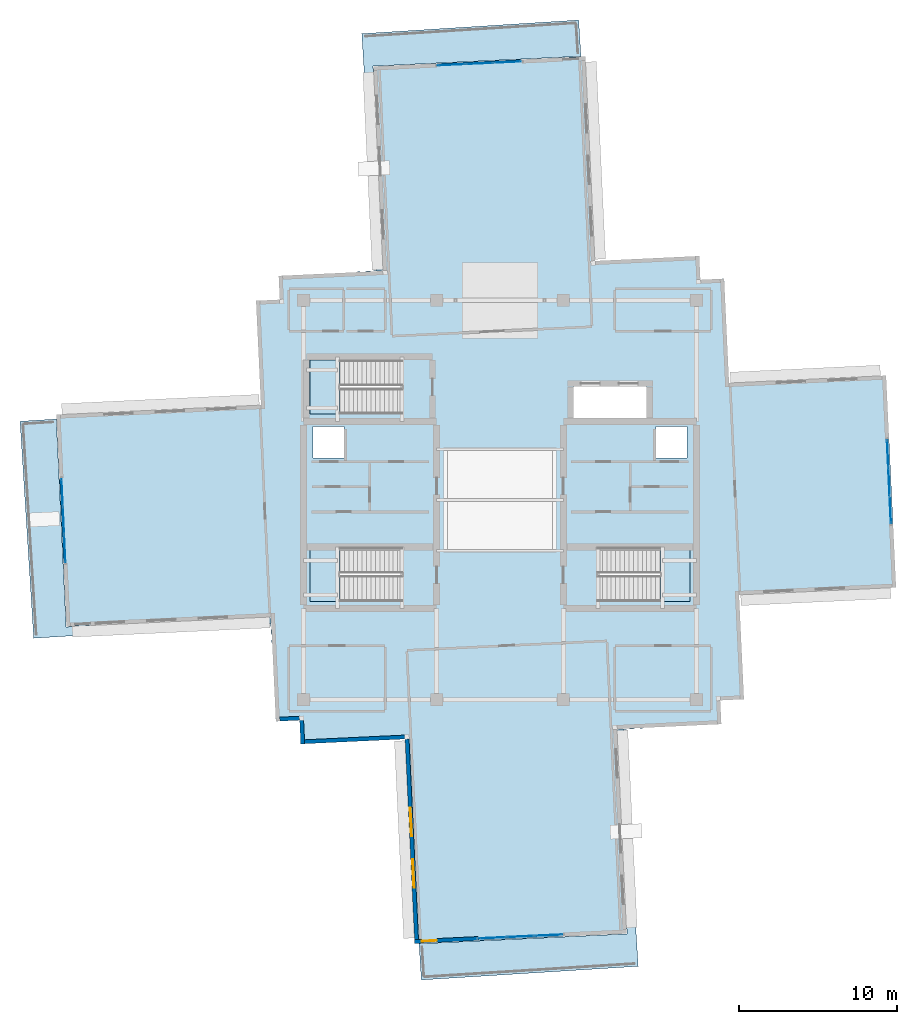
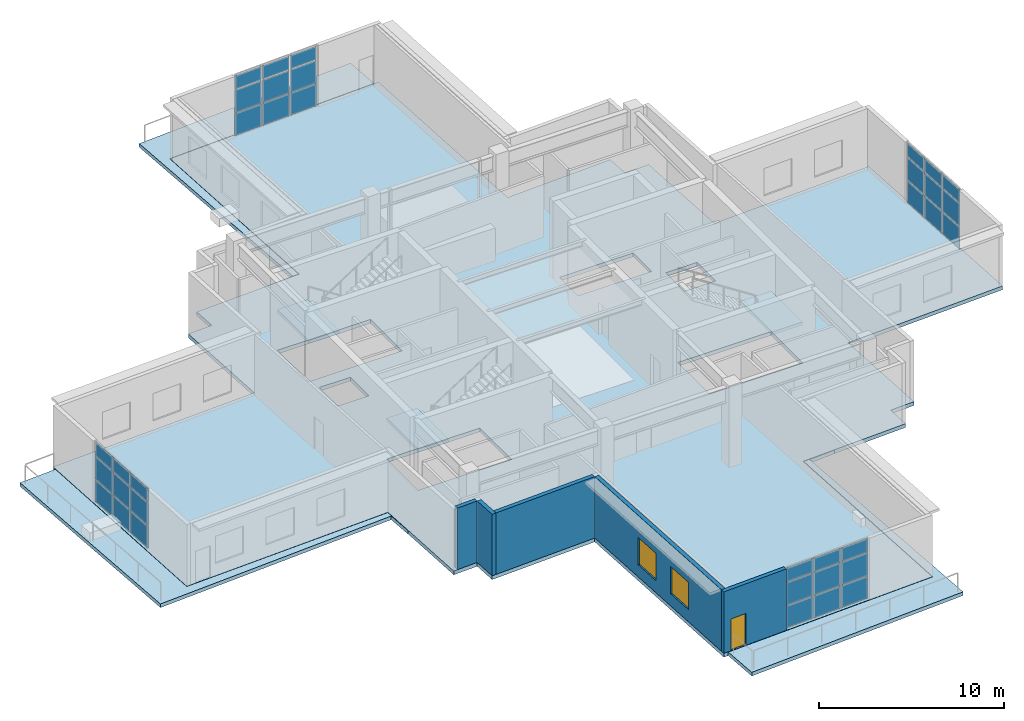
# One storey, part 12 of 22: 36 plates, 7 slabs, 5 walls, 2 windows, 1 door, 3 openings, 7 elements without a shape of their own.
"""IFC4 building model written with IfcOpenShell, lengths in metres."""

from ifc_helpers import new_model, si_unit, direction, frame, frame_2d, origin, origin_2d, place, context, subcontext, project, spatial, polyline, rectangle, outline, extrude, material, layer, layer_set, type_object, element, fill, aggregate, save


model = new_model("IFC4")

# Units and contexts
model_context = context("Model", 3, precision=1e-05, world=origin(), true_north=direction((0.0, 1.0)))
body_context = subcontext(model_context, "Body", "Model", "MODEL_VIEW")
ifc_project = project(units=[si_unit("LENGTHUNIT", "METRE"), si_unit("AREAUNIT", "SQUARE_METRE"), si_unit("VOLUMEUNIT", "CUBIC_METRE"), si_unit("PLANEANGLEUNIT", "RADIAN"), si_unit("MASSUNIT", "GRAM", prefix="KILO")], contexts=[model_context])

# Site, building, storey
site_placement = place(None, origin())
site = spatial("IfcSite", under=ifc_project, at=site_placement, CompositionType="ELEMENT")
building_placement = place(site_placement, origin())
building = spatial("IfcBuilding", under=site, at=building_placement, Name="Qingluan Cross Belvedere", CompositionType="ELEMENT")
storey_placement = place(building_placement, frame((0.0, 0.0, 294.0)))
storey = spatial("IfcBuildingStorey", under=building, at=storey_placement, Name="L73", CompositionType="ELEMENT", Elevation=294.0)

# Curtain wall, plates
ifc_material_1 = material(Name="Thermally broken aluminium and Low-E glass", Category="aluminium")
ifc_layer_1 = layer(ifc_material_1, 0.179931640625, Name="ObservationCW_DamperGallery")
ifc_layer_set_1 = layer_set([ifc_layer_1], Name="Thermally broken aluminium and Low-E glass")
curtain_wall_type = type_object("IfcCurtainWallType", Name="ObservationCW_DamperGallery", PredefinedType="USERDEFINED", material=ifc_layer_set_1)
curtain_wall_1_placement = place(storey_placement, origin())
curtain_wall_1 = element("IfcCurtainWall", 1, at=curtain_wall_1_placement, inside=storey, type_object=curtain_wall_type, Name="ObservationCW_DamperGallery run env:cw:L73:E", ObjectType="OBSERVATION GLAZING WALL", PredefinedType="USERDEFINED")
ifc_material_2 = material(Name="Triple-silver Low-E insulated glass", Category="glass")
ifc_layer_2 = layer(ifc_material_2, 0.035888671875, Name="CWVisionPanel_36")
ifc_layer_set_2 = layer_set([ifc_layer_2], Name="Triple-silver Low-E insulated glass")
plate_type = type_object("IfcPlateType", Name="CWVisionPanel_36", PredefinedType="CURTAIN_PANEL", material=ifc_layer_set_2)
plate_1_placement = place(storey_placement, frame((24.63623046875, -0.610595703125, 0.06005859375), z_axis=(0.0, 0.0, 1.0), x_axis=(-0.047124276604, 0.998889034155, 0.0)))
plate_1 = element("IfcPlate", 2, at=plate_1_placement, type_object=plate_type, Name="CW-C1 panel 1.1", PredefinedType="CURTAIN_PANEL", context=body_context, shape_type="SweptSolid", body=[
    extrude(rectangle(XDim=1.6953125, YDim=0.028076171875, at=origin_2d()), origin(), (0.0, 0.0, 1.0), 1.452880859375),
])
plate_2_placement = place(storey_placement, frame((24.63623046875, -0.610595703125, 1.572998046875), z_axis=(0.0, 0.0, 1.0), x_axis=(-0.047124276604, 0.998889034155, 0.0)))
plate_2 = element("IfcPlate", 3, at=plate_2_placement, type_object=plate_type, Name="CW-C1 panel 1.2", PredefinedType="CURTAIN_PANEL", context=body_context, shape_type="SweptSolid", body=[
    extrude(rectangle(XDim=1.6953125, YDim=0.028076171875, at=origin_2d()), origin(), (0.0, 0.0, 1.0), 1.48291015625),
])
plate_3_placement = place(storey_placement, frame((24.63623046875, -0.610595703125, 3.1162109375), z_axis=(0.0, 0.0, 1.0), x_axis=(-0.047124276604, 0.998889034155, 0.0)))
plate_3 = element("IfcPlate", 4, at=plate_3_placement, type_object=plate_type, Name="CW-C1 panel 1.3", PredefinedType="CURTAIN_PANEL", context=body_context, shape_type="SweptSolid", body=[
    extrude(rectangle(XDim=1.6953125, YDim=0.028076171875, at=origin_2d()), origin(), (0.0, 0.0, 1.0), 0.884033203125),
])
plate_4_placement = place(storey_placement, frame((24.552734375, 1.157958984375, 0.06005859375), z_axis=(0.0, 0.0, 1.0), x_axis=(-0.047124276604, 0.998889034155, 0.0)))
plate_4 = element("IfcPlate", 5, at=plate_4_placement, type_object=plate_type, Name="CW-C1 panel 2.1", PredefinedType="CURTAIN_PANEL", context=body_context, shape_type="SweptSolid", body=[
    extrude(rectangle(XDim=1.725341796875, YDim=0.028076171875, at=origin_2d()), origin(), (0.0, 0.0, 1.0), 1.452880859375),
])
plate_5_placement = place(storey_placement, frame((24.552734375, 1.157958984375, 1.572998046875), z_axis=(0.0, 0.0, 1.0), x_axis=(-0.047124276604, 0.998889034155, 0.0)))
plate_5 = element("IfcPlate", 6, at=plate_5_placement, type_object=plate_type, Name="CW-C1 panel 2.2", PredefinedType="CURTAIN_PANEL", context=body_context, shape_type="SweptSolid", body=[
    extrude(rectangle(XDim=1.725341796875, YDim=0.028076171875, at=origin_2d()), origin(), (0.0, 0.0, 1.0), 1.48291015625),
])
plate_6_placement = place(storey_placement, frame((24.552734375, 1.157958984375, 3.1162109375), z_axis=(0.0, 0.0, 1.0), x_axis=(-0.047124276604, 0.998889034155, 0.0)))
plate_6 = element("IfcPlate", 7, at=plate_6_placement, type_object=plate_type, Name="CW-C1 panel 2.3", PredefinedType="CURTAIN_PANEL", context=body_context, shape_type="SweptSolid", body=[
    extrude(rectangle(XDim=1.725341796875, YDim=0.028076171875, at=origin_2d()), origin(), (0.0, 0.0, 1.0), 0.884033203125),
])
plate_7_placement = place(storey_placement, frame((24.46923828125, 2.92626953125, 0.06005859375), z_axis=(0.0, 0.0, 1.0), x_axis=(-0.047124276604, 0.998889034155, 0.0)))
plate_7 = element("IfcPlate", 8, at=plate_7_placement, type_object=plate_type, Name="CW-C1 panel 3.1", PredefinedType="CURTAIN_PANEL", context=body_context, shape_type="SweptSolid", body=[
    extrude(rectangle(XDim=1.6953125, YDim=0.028076171875, at=origin_2d()), origin(), (0.0, 0.0, 1.0), 1.452880859375),
])
plate_8_placement = place(storey_placement, frame((24.46923828125, 2.92626953125, 1.572998046875), z_axis=(0.0, 0.0, 1.0), x_axis=(-0.047124276604, 0.998889034155, 0.0)))
plate_8 = element("IfcPlate", 9, at=plate_8_placement, type_object=plate_type, Name="CW-C1 panel 3.2", PredefinedType="CURTAIN_PANEL", context=body_context, shape_type="SweptSolid", body=[
    extrude(rectangle(XDim=1.6953125, YDim=0.028076171875, at=origin_2d()), origin(), (0.0, 0.0, 1.0), 1.48291015625),
])
plate_9_placement = place(storey_placement, frame((24.46923828125, 2.92626953125, 3.1162109375), z_axis=(0.0, 0.0, 1.0), x_axis=(-0.047124276604, 0.998889034155, 0.0)))
plate_9 = element("IfcPlate", 10, at=plate_9_placement, type_object=plate_type, Name="CW-C1 panel 3.3", PredefinedType="CURTAIN_PANEL", context=body_context, shape_type="SweptSolid", body=[
    extrude(rectangle(XDim=1.6953125, YDim=0.028076171875, at=origin_2d()), origin(), (0.0, 0.0, 1.0), 0.884033203125),
])
aggregate(curtain_wall_1, [plate_1, plate_2, plate_3, plate_4, plate_5, plate_6, plate_7, plate_8, plate_9])

curtain_wall_2_placement = place(storey_placement, origin())
curtain_wall_2 = element("IfcCurtainWall", 11, at=curtain_wall_2_placement, inside=storey, type_object=curtain_wall_type, Name="ObservationCW_DamperGallery run env:cw:L73:N", ObjectType="OBSERVATION GLAZING WALL", PredefinedType="USERDEFINED")
plate_10_placement = place(storey_placement, frame((0.46923828125, 27.6328125, 0.06005859375), z_axis=(0.0, 0.0, 1.0), x_axis=(-0.998888992693, -0.047125155464, 0.0)))
plate_10 = element("IfcPlate", 12, at=plate_10_placement, type_object=plate_type, Name="CW-C1 panel 1.1", PredefinedType="CURTAIN_PANEL", context=body_context, shape_type="SweptSolid", body=[
    extrude(rectangle(XDim=1.6953125, YDim=0.028076171875, at=origin_2d()), origin(), (0.0, 0.0, 1.0), 1.452880859375),
])
plate_11_placement = place(storey_placement, frame((0.46923828125, 27.6328125, 1.572998046875), z_axis=(0.0, 0.0, 1.0), x_axis=(-0.998888992693, -0.047125155464, 0.0)))
plate_11 = element("IfcPlate", 13, at=plate_11_placement, type_object=plate_type, Name="CW-C1 panel 1.2", PredefinedType="CURTAIN_PANEL", context=body_context, shape_type="SweptSolid", body=[
    extrude(rectangle(XDim=1.6953125, YDim=0.028076171875, at=origin_2d()), origin(), (0.0, 0.0, 1.0), 1.48291015625),
])
plate_12_placement = place(storey_placement, frame((0.46923828125, 27.6328125, 3.1162109375), z_axis=(0.0, 0.0, 1.0), x_axis=(-0.998888992693, -0.047125155464, 0.0)))
plate_12 = element("IfcPlate", 14, at=plate_12_placement, type_object=plate_type, Name="CW-C1 panel 1.3", PredefinedType="CURTAIN_PANEL", context=body_context, shape_type="SweptSolid", body=[
    extrude(rectangle(XDim=1.6953125, YDim=0.028076171875, at=origin_2d()), origin(), (0.0, 0.0, 1.0), 0.884033203125),
])
plate_13_placement = place(storey_placement, frame((-1.29931640625, 27.54931640625, 0.06005859375), z_axis=(0.0, 0.0, 1.0), x_axis=(-0.998888992693, -0.047125155464, 0.0)))
plate_13 = element("IfcPlate", 15, at=plate_13_placement, type_object=plate_type, Name="CW-C1 panel 2.1", PredefinedType="CURTAIN_PANEL", context=body_context, shape_type="SweptSolid", body=[
    extrude(rectangle(XDim=1.725341796875, YDim=0.028076171875, at=origin_2d()), origin(), (0.0, 0.0, 1.0), 1.452880859375),
])
plate_14_placement = place(storey_placement, frame((-1.29931640625, 27.54931640625, 1.572998046875), z_axis=(0.0, 0.0, 1.0), x_axis=(-0.998888992693, -0.047125155464, 0.0)))
plate_14 = element("IfcPlate", 16, at=plate_14_placement, type_object=plate_type, Name="CW-C1 panel 2.2", PredefinedType="CURTAIN_PANEL", context=body_context, shape_type="SweptSolid", body=[
    extrude(rectangle(XDim=1.725341796875, YDim=0.028076171875, at=origin_2d()), origin(), (0.0, 0.0, 1.0), 1.48291015625),
])
plate_15_placement = place(storey_placement, frame((-1.29931640625, 27.54931640625, 3.1162109375), z_axis=(0.0, 0.0, 1.0), x_axis=(-0.998888992693, -0.047125155464, 0.0)))
plate_15 = element("IfcPlate", 17, at=plate_15_placement, type_object=plate_type, Name="CW-C1 panel 2.3", PredefinedType="CURTAIN_PANEL", context=body_context, shape_type="SweptSolid", body=[
    extrude(rectangle(XDim=1.725341796875, YDim=0.028076171875, at=origin_2d()), origin(), (0.0, 0.0, 1.0), 0.884033203125),
])
plate_16_placement = place(storey_placement, frame((-3.067626953125, 27.466064453125, 0.06005859375), z_axis=(0.0, 0.0, 1.0), x_axis=(-0.998888992693, -0.047125155464, 0.0)))
plate_16 = element("IfcPlate", 18, at=plate_16_placement, type_object=plate_type, Name="CW-C1 panel 3.1", PredefinedType="CURTAIN_PANEL", context=body_context, shape_type="SweptSolid", body=[
    extrude(rectangle(XDim=1.6953125, YDim=0.028076171875, at=origin_2d()), origin(), (0.0, 0.0, 1.0), 1.452880859375),
])
plate_17_placement = place(storey_placement, frame((-3.067626953125, 27.466064453125, 1.572998046875), z_axis=(0.0, 0.0, 1.0), x_axis=(-0.998888992693, -0.047125155464, 0.0)))
plate_17 = element("IfcPlate", 19, at=plate_17_placement, type_object=plate_type, Name="CW-C1 panel 3.2", PredefinedType="CURTAIN_PANEL", context=body_context, shape_type="SweptSolid", body=[
    extrude(rectangle(XDim=1.6953125, YDim=0.028076171875, at=origin_2d()), origin(), (0.0, 0.0, 1.0), 1.48291015625),
])
plate_18_placement = place(storey_placement, frame((-3.067626953125, 27.466064453125, 3.1162109375), z_axis=(0.0, 0.0, 1.0), x_axis=(-0.998888992693, -0.047125155464, 0.0)))
plate_18 = element("IfcPlate", 20, at=plate_18_placement, type_object=plate_type, Name="CW-C1 panel 3.3", PredefinedType="CURTAIN_PANEL", context=body_context, shape_type="SweptSolid", body=[
    extrude(rectangle(XDim=1.6953125, YDim=0.028076171875, at=origin_2d()), origin(), (0.0, 0.0, 1.0), 0.884033203125),
])
aggregate(curtain_wall_2, [plate_10, plate_11, plate_12, plate_13, plate_14, plate_15, plate_16, plate_17, plate_18])

curtain_wall_3_placement = place(storey_placement, origin())
curtain_wall_3 = element("IfcCurtainWall", 21, at=curtain_wall_3_placement, inside=storey, type_object=curtain_wall_type, Name="ObservationCW_DamperGallery run env:cw:L73:W", ObjectType="OBSERVATION GLAZING WALL", PredefinedType="USERDEFINED")
plate_19_placement = place(storey_placement, frame((-27.6328125, 0.46923828125, 0.06005859375), z_axis=(0.0, 0.0, 1.0), x_axis=(0.047125155464, -0.998888992693, 0.0)))
plate_19 = element("IfcPlate", 22, at=plate_19_placement, type_object=plate_type, Name="CW-C1 panel 1.1", PredefinedType="CURTAIN_PANEL", context=body_context, shape_type="SweptSolid", body=[
    extrude(rectangle(XDim=1.6953125, YDim=0.028076171875, at=origin_2d()), origin(), (0.0, 0.0, 1.0), 1.452880859375),
])
plate_20_placement = place(storey_placement, frame((-27.6328125, 0.46923828125, 1.572998046875), z_axis=(0.0, 0.0, 1.0), x_axis=(0.047125155464, -0.998888992693, 0.0)))
plate_20 = element("IfcPlate", 23, at=plate_20_placement, type_object=plate_type, Name="CW-C1 panel 1.2", PredefinedType="CURTAIN_PANEL", context=body_context, shape_type="SweptSolid", body=[
    extrude(rectangle(XDim=1.6953125, YDim=0.028076171875, at=origin_2d()), origin(), (0.0, 0.0, 1.0), 1.48291015625),
])
plate_21_placement = place(storey_placement, frame((-27.6328125, 0.46923828125, 3.1162109375), z_axis=(0.0, 0.0, 1.0), x_axis=(0.047125155464, -0.998888992693, 0.0)))
plate_21 = element("IfcPlate", 24, at=plate_21_placement, type_object=plate_type, Name="CW-C1 panel 1.3", PredefinedType="CURTAIN_PANEL", context=body_context, shape_type="SweptSolid", body=[
    extrude(rectangle(XDim=1.6953125, YDim=0.028076171875, at=origin_2d()), origin(), (0.0, 0.0, 1.0), 0.884033203125),
])
plate_22_placement = place(storey_placement, frame((-27.54931640625, -1.29931640625, 0.06005859375), z_axis=(0.0, 0.0, 1.0), x_axis=(0.047125155464, -0.998888992693, 0.0)))
plate_22 = element("IfcPlate", 25, at=plate_22_placement, type_object=plate_type, Name="CW-C1 panel 2.1", PredefinedType="CURTAIN_PANEL", context=body_context, shape_type="SweptSolid", body=[
    extrude(rectangle(XDim=1.725341796875, YDim=0.028076171875, at=origin_2d()), origin(), (0.0, 0.0, 1.0), 1.452880859375),
])
plate_23_placement = place(storey_placement, frame((-27.54931640625, -1.29931640625, 1.572998046875), z_axis=(0.0, 0.0, 1.0), x_axis=(0.047125155464, -0.998888992693, 0.0)))
plate_23 = element("IfcPlate", 26, at=plate_23_placement, type_object=plate_type, Name="CW-C1 panel 2.2", PredefinedType="CURTAIN_PANEL", context=body_context, shape_type="SweptSolid", body=[
    extrude(rectangle(XDim=1.725341796875, YDim=0.028076171875, at=origin_2d()), origin(), (0.0, 0.0, 1.0), 1.48291015625),
])
plate_24_placement = place(storey_placement, frame((-27.54931640625, -1.29931640625, 3.1162109375), z_axis=(0.0, 0.0, 1.0), x_axis=(0.047125155464, -0.998888992693, 0.0)))
plate_24 = element("IfcPlate", 27, at=plate_24_placement, type_object=plate_type, Name="CW-C1 panel 2.3", PredefinedType="CURTAIN_PANEL", context=body_context, shape_type="SweptSolid", body=[
    extrude(rectangle(XDim=1.725341796875, YDim=0.028076171875, at=origin_2d()), origin(), (0.0, 0.0, 1.0), 0.884033203125),
])
plate_25_placement = place(storey_placement, frame((-27.466064453125, -3.067626953125, 0.06005859375), z_axis=(0.0, 0.0, 1.0), x_axis=(0.047125155464, -0.998888992693, 0.0)))
plate_25 = element("IfcPlate", 28, at=plate_25_placement, type_object=plate_type, Name="CW-C1 panel 3.1", PredefinedType="CURTAIN_PANEL", context=body_context, shape_type="SweptSolid", body=[
    extrude(rectangle(XDim=1.6953125, YDim=0.028076171875, at=origin_2d()), origin(), (0.0, 0.0, 1.0), 1.452880859375),
])
plate_26_placement = place(storey_placement, frame((-27.466064453125, -3.067626953125, 1.572998046875), z_axis=(0.0, 0.0, 1.0), x_axis=(0.047125155464, -0.998888992693, 0.0)))
plate_26 = element("IfcPlate", 29, at=plate_26_placement, type_object=plate_type, Name="CW-C1 panel 3.2", PredefinedType="CURTAIN_PANEL", context=body_context, shape_type="SweptSolid", body=[
    extrude(rectangle(XDim=1.6953125, YDim=0.028076171875, at=origin_2d()), origin(), (0.0, 0.0, 1.0), 1.48291015625),
])
plate_27_placement = place(storey_placement, frame((-27.466064453125, -3.067626953125, 3.1162109375), z_axis=(0.0, 0.0, 1.0), x_axis=(0.047125155464, -0.998888992693, 0.0)))
plate_27 = element("IfcPlate", 30, at=plate_27_placement, type_object=plate_type, Name="CW-C1 panel 3.3", PredefinedType="CURTAIN_PANEL", context=body_context, shape_type="SweptSolid", body=[
    extrude(rectangle(XDim=1.6953125, YDim=0.028076171875, at=origin_2d()), origin(), (0.0, 0.0, 1.0), 0.884033203125),
])
aggregate(curtain_wall_3, [plate_19, plate_20, plate_21, plate_22, plate_23, plate_24, plate_25, plate_26, plate_27])

curtain_wall_4_placement = place(storey_placement, origin())
curtain_wall_4 = element("IfcCurtainWall", 31, at=curtain_wall_4_placement, inside=storey, type_object=curtain_wall_type, Name="ObservationCW_DamperGallery run env:cw:L73:S", ObjectType="OBSERVATION GLAZING WALL", PredefinedType="USERDEFINED")
plate_28_placement = place(storey_placement, frame((-0.46923828125, -27.6328125, 0.06005859375), z_axis=(0.0, 0.0, 1.0), x_axis=(0.998888992693, 0.047125155464, 0.0)))
plate_28 = element("IfcPlate", 32, at=plate_28_placement, type_object=plate_type, Name="CW-C1 panel 1.1", PredefinedType="CURTAIN_PANEL", context=body_context, shape_type="SweptSolid", body=[
    extrude(rectangle(XDim=1.6953125, YDim=0.028076171875, at=origin_2d()), origin(), (0.0, 0.0, 1.0), 1.452880859375),
])
plate_29_placement = place(storey_placement, frame((-0.46923828125, -27.6328125, 1.572998046875), z_axis=(0.0, 0.0, 1.0), x_axis=(0.998888992693, 0.047125155464, 0.0)))
plate_29 = element("IfcPlate", 33, at=plate_29_placement, type_object=plate_type, Name="CW-C1 panel 1.2", PredefinedType="CURTAIN_PANEL", context=body_context, shape_type="SweptSolid", body=[
    extrude(rectangle(XDim=1.6953125, YDim=0.028076171875, at=origin_2d()), origin(), (0.0, 0.0, 1.0), 1.48291015625),
])
plate_30_placement = place(storey_placement, frame((-0.46923828125, -27.6328125, 3.1162109375), z_axis=(0.0, 0.0, 1.0), x_axis=(0.998888992693, 0.047125155464, 0.0)))
plate_30 = element("IfcPlate", 34, at=plate_30_placement, type_object=plate_type, Name="CW-C1 panel 1.3", PredefinedType="CURTAIN_PANEL", context=body_context, shape_type="SweptSolid", body=[
    extrude(rectangle(XDim=1.6953125, YDim=0.028076171875, at=origin_2d()), origin(), (0.0, 0.0, 1.0), 0.884033203125),
])
plate_31_placement = place(storey_placement, frame((1.29931640625, -27.54931640625, 0.06005859375), z_axis=(0.0, 0.0, 1.0), x_axis=(0.998888992693, 0.047125155464, 0.0)))
plate_31 = element("IfcPlate", 35, at=plate_31_placement, type_object=plate_type, Name="CW-C1 panel 2.1", PredefinedType="CURTAIN_PANEL", context=body_context, shape_type="SweptSolid", body=[
    extrude(rectangle(XDim=1.725341796875, YDim=0.028076171875, at=origin_2d()), origin(), (0.0, 0.0, 1.0), 1.452880859375),
])
plate_32_placement = place(storey_placement, frame((1.29931640625, -27.54931640625, 1.572998046875), z_axis=(0.0, 0.0, 1.0), x_axis=(0.998888992693, 0.047125155464, 0.0)))
plate_32 = element("IfcPlate", 36, at=plate_32_placement, type_object=plate_type, Name="CW-C1 panel 2.2", PredefinedType="CURTAIN_PANEL", context=body_context, shape_type="SweptSolid", body=[
    extrude(rectangle(XDim=1.725341796875, YDim=0.028076171875, at=origin_2d()), origin(), (0.0, 0.0, 1.0), 1.48291015625),
])
plate_33_placement = place(storey_placement, frame((1.29931640625, -27.54931640625, 3.1162109375), z_axis=(0.0, 0.0, 1.0), x_axis=(0.998888992693, 0.047125155464, 0.0)))
plate_33 = element("IfcPlate", 37, at=plate_33_placement, type_object=plate_type, Name="CW-C1 panel 2.3", PredefinedType="CURTAIN_PANEL", context=body_context, shape_type="SweptSolid", body=[
    extrude(rectangle(XDim=1.725341796875, YDim=0.028076171875, at=origin_2d()), origin(), (0.0, 0.0, 1.0), 0.884033203125),
])
plate_34_placement = place(storey_placement, frame((3.067626953125, -27.466064453125, 0.06005859375), z_axis=(0.0, 0.0, 1.0), x_axis=(0.998888992693, 0.047125155464, 0.0)))
plate_34 = element("IfcPlate", 38, at=plate_34_placement, type_object=plate_type, Name="CW-C1 panel 3.1", PredefinedType="CURTAIN_PANEL", context=body_context, shape_type="SweptSolid", body=[
    extrude(rectangle(XDim=1.6953125, YDim=0.028076171875, at=origin_2d()), origin(), (0.0, 0.0, 1.0), 1.452880859375),
])
plate_35_placement = place(storey_placement, frame((3.067626953125, -27.466064453125, 1.572998046875), z_axis=(0.0, 0.0, 1.0), x_axis=(0.998888992693, 0.047125155464, 0.0)))
plate_35 = element("IfcPlate", 39, at=plate_35_placement, type_object=plate_type, Name="CW-C1 panel 3.2", PredefinedType="CURTAIN_PANEL", context=body_context, shape_type="SweptSolid", body=[
    extrude(rectangle(XDim=1.6953125, YDim=0.028076171875, at=origin_2d()), origin(), (0.0, 0.0, 1.0), 1.48291015625),
])
plate_36_placement = place(storey_placement, frame((3.067626953125, -27.466064453125, 3.1162109375), z_axis=(0.0, 0.0, 1.0), x_axis=(0.998888992693, 0.047125155464, 0.0)))
plate_36 = element("IfcPlate", 40, at=plate_36_placement, type_object=plate_type, Name="CW-C1 panel 3.3", PredefinedType="CURTAIN_PANEL", context=body_context, shape_type="SweptSolid", body=[
    extrude(rectangle(XDim=1.6953125, YDim=0.028076171875, at=origin_2d()), origin(), (0.0, 0.0, 1.0), 0.884033203125),
])
aggregate(curtain_wall_4, [plate_28, plate_29, plate_30, plate_31, plate_32, plate_33, plate_34, plate_35, plate_36])

# Slabs
ifc_material_3 = material(Name="Concrete C40", Category="concrete")
ifc_layer_3 = layer(ifc_material_3, 0.239990234375, Name="CrownRoofSlab_240")
ifc_layer_set_3 = layer_set([ifc_layer_3], Name="Concrete C40")
slab_type_1 = type_object("IfcSlabType", Name="CrownRoofSlab_240", PredefinedType="ROOF", material=ifc_layer_set_3)
slab_1_placement = place(storey_placement, frame((0.0, 0.0, -0.239990234375)))
element("IfcSlab", 41, at=slab_1_placement, inside=storey, type_object=slab_type_1, Name="Stepped crown terrace L73-1", PredefinedType="ROOF", context=body_context, shape_type="SweptSolid", body=[
    extrude(outline(polyline([(-7.78466796875, 14.479736328125), (-9.398681640625, 14.378173828125), (-7.405029296875, 14.47216796875), (-8.006103515625, 27.373779296875), (5.112060546875, 27.996826171875), (4.9677734375, 30.291748046875), (-8.72509765625, 29.43017578125), (-7.78466796875, 14.479736328125)])), origin(), (0.0, 0.0, 1.0), 0.239990234375),
])
slab_2_placement = place(storey_placement, frame((0.0, 0.0, -0.239990234375)))
element("IfcSlab", 42, at=slab_2_placement, inside=storey, type_object=slab_type_1, Name="Stepped crown terrace L73-2", PredefinedType="ROOF", context=body_context, shape_type="SweptSolid", body=[
    extrude(outline(polyline([(-14.479736328125, -7.78466796875), (-14.378173828125, -9.398681640625), (-14.47216796875, -7.405029296875), (-27.373779296875, -8.006103515625), (-27.996826171875, 5.112060546875), (-30.291748046875, 4.9677734375), (-29.43017578125, -8.72509765625), (-14.479736328125, -7.78466796875)])), origin(), (0.0, 0.0, 1.0), 0.239990234375),
])
slab_3_placement = place(storey_placement, frame((0.0, 0.0, -0.239990234375)))
element("IfcSlab", 43, at=slab_3_placement, inside=storey, type_object=slab_type_1, Name="Stepped crown terrace L73-3", PredefinedType="ROOF", context=body_context, shape_type="SweptSolid", body=[
    extrude(outline(polyline([(-5.112060546875, -27.996826171875), (-4.9677734375, -30.291748046875), (8.72509765625, -29.43017578125), (7.78466796875, -14.479736328125), (9.398681640625, -14.378173828125), (7.405029296875, -14.47216796875), (8.0126953125, -27.35791015625), (7.99365234375, -27.37890625), (-5.112060546875, -27.996826171875)])), origin(), (0.0, 0.0, 1.0), 0.239990234375),
])
ifc_material_4 = material(Name="Concrete C40", Category="concrete")
ifc_layer_4 = layer(ifc_material_4, 0.25, Name="FloorSlab_250")
ifc_layer_set_4 = layer_set([ifc_layer_4], Name="Concrete C40")
slab_type_2 = type_object("IfcSlabType", Name="FloorSlab_250", PredefinedType="FLOOR", material=ifc_layer_set_4)
slab_4_placement = place(storey_placement, frame((0.0, 0.0, -0.25)))
element("IfcSlab", 44, at=slab_4_placement, inside=storey, type_object=slab_type_2, Name="Structural floor slab L73", PredefinedType="FLOOR", context=body_context, shape_type="SweptSolid", body=[
    extrude(outline(polyline([(7.99267578125, -27.35888671875), (7.384033203125, -14.453125), (13.966796875, -14.142822265625), (13.89599609375, -12.644287109375), (15.394287109375, -12.57373046875), (15.083984375, -5.9912109375), (24.992919921875, -5.523681640625), (24.3623046875, 7.851318359375), (14.453125, 7.384033203125), (14.142822265625, 13.966796875), (12.644287109375, 13.89599609375), (12.57373046875, 15.394287109375), (5.9912109375, 15.083984375), (5.382568359375, 27.989501953125), (-7.99267578125, 27.35888671875), (-7.384033203125, 14.453125), (-13.966796875, 14.142822265625), (-13.89599609375, 12.644287109375), (-15.394287109375, 12.57373046875), (-15.083984375, 5.9912109375), (-27.989501953125, 5.382568359375), (-27.35888671875, -7.99267578125), (-14.453125, -7.384033203125), (-14.142822265625, -13.966796875), (-12.644287109375, -13.89599609375), (-12.57373046875, -15.394287109375), (-5.9912109375, -15.083984375), (-5.382568359375, -27.989501953125), (7.99267578125, -27.35888671875)]), holes=[polyline([(-12.0, -3.0), (-6.179931640625, -3.0), (-6.179931640625, -6.39990234375), (-12.0, -6.39990234375), (-12.0, -3.0)]), polyline([(6.179931640625, -3.0), (12.0, -3.0), (12.0, -6.39990234375), (6.179931640625, -6.39990234375), (6.179931640625, -3.0)]), polyline([(-12.0, 8.820068359375), (-6.179931640625, 8.820068359375), (-6.179931640625, 5.419921875), (-12.0, 5.419921875), (-12.0, 8.820068359375)]), polyline([(-11.800048828125, 4.64990234375), (-9.85009765625, 4.64990234375), (-9.85009765625, 2.64990234375), (-11.800048828125, 2.64990234375), (-11.800048828125, 4.64990234375)]), polyline([(9.85009765625, 4.64990234375), (11.800048828125, 4.64990234375), (11.800048828125, 2.64990234375), (9.85009765625, 2.64990234375), (9.85009765625, 4.64990234375)]), polyline([(4.64990234375, 7.14990234375), (9.25, 7.14990234375), (9.25, 5.14990234375), (4.64990234375, 5.14990234375), (4.64990234375, 7.14990234375)])]), origin(), (0.0, 0.0, 1.0), 0.25),
])

# Stair, slab
ifc_material_5 = material(Name="Concrete C40", Category="concrete")
stair_type = type_object("IfcStairType", Name="CoreDoglegStair_1620", PredefinedType="HALF_TURN_STAIR", material=ifc_material_5)
stair_1_placement = place(storey_placement, origin())
stair_1 = element("IfcStair", 45, at=stair_1_placement, inside=storey, type_object=stair_type, Name="L73 ST1", PredefinedType="HALF_TURN_STAIR")
ifc_material_6 = material(Name="Concrete C40", Category="concrete")
ifc_layer_5 = layer(ifc_material_6, 0.179931640625, Name="StairLandingSlab_180")
ifc_layer_set_5 = layer_set([ifc_layer_5], Name="Concrete C40")
slab_type_3 = type_object("IfcSlabType", Name="StairLandingSlab_180", PredefinedType="LANDING", material=ifc_layer_set_5)
slab_5_placement = place(storey_placement, frame((0.0, 0.0, 2.5)))
slab_5 = element("IfcSlab", 46, at=slab_5_placement, type_object=slab_type_3, Name="ST1 landing 1", PredefinedType="LANDING", context=body_context, shape_type="SweptSolid", body=[
    extrude(outline(polyline([(-10.10009765625, -3.0), (-12.0, -3.0), (-12.0, -6.39990234375), (-10.10009765625, -6.39990234375), (-10.10009765625, -3.0)])), origin(), (0.0, 0.0, 1.0), 0.199951171875),
])
aggregate(stair_1, [slab_5])

stair_2_placement = place(storey_placement, origin())
stair_2 = element("IfcStair", 47, at=stair_2_placement, inside=storey, type_object=stair_type, Name="L73 ST2", PredefinedType="HALF_TURN_STAIR")
slab_6_placement = place(storey_placement, frame((0.0, 0.0, 2.5)))
slab_6 = element("IfcSlab", 48, at=slab_6_placement, type_object=slab_type_3, Name="ST2 landing 1", PredefinedType="LANDING", context=body_context, shape_type="SweptSolid", body=[
    extrude(outline(polyline([(10.10009765625, -6.39990234375), (12.0, -6.39990234375), (12.0, -3.0), (10.10009765625, -3.0), (10.10009765625, -6.39990234375)])), origin(), (0.0, 0.0, 1.0), 0.199951171875),
])
aggregate(stair_2, [slab_6])

stair_3_placement = place(storey_placement, origin())
stair_3 = element("IfcStair", 49, at=stair_3_placement, inside=storey, type_object=stair_type, Name="L73 ST3", PredefinedType="HALF_TURN_STAIR")
slab_7_placement = place(storey_placement, frame((0.0, 0.0, 2.5)))
slab_7 = element("IfcSlab", 50, at=slab_7_placement, type_object=slab_type_3, Name="ST3 landing 1", PredefinedType="LANDING", context=body_context, shape_type="SweptSolid", body=[
    extrude(outline(polyline([(-10.10009765625, 8.820068359375), (-12.0, 8.820068359375), (-12.0, 5.419921875), (-10.10009765625, 5.419921875), (-10.10009765625, 8.820068359375)])), origin(), (0.0, 0.0, 1.0), 0.199951171875),
])
aggregate(stair_3, [slab_7])

# Wall, openings, windows
ifc_material_7 = material(Name="Precast concrete C45", Category="concrete")
ifc_layer_6 = layer(ifc_material_7, 0.25, Name="PrecastCrownWall_250")
ifc_layer_set_6 = layer_set([ifc_layer_6], Name="Precast concrete C45")
wall_type = type_object("IfcWallType", Name="PrecastCrownWall_250", PredefinedType="STANDARD", material=ifc_layer_set_6)
wall_1_placement = place(storey_placement, frame((-5.8662109375, -15.078125, 0.0), z_axis=(0.0, 0.0, 1.0), x_axis=(0.04711379485, -0.998889528594, 0.0)))
wall_1 = element("IfcWall", 51, at=wall_1_placement, inside=storey, type_object=wall_type, Name="Facade wall L73-SA", PredefinedType="STANDARD", context=body_context, shape_type="SweptSolid", body=[
    extrude(rectangle(XDim=12.669921875, YDim=0.25, at=frame_2d((6.3349609375, 0.0))), origin(), (0.0, 0.0, 1.0), 4.06005859375),
])
opening_1_placement = place(wall_1_placement, frame((4.35009765625, 0.0, 0.800048828125)))
opening_1 = element("IfcOpeningElement", 52, at=opening_1_placement, cuts=wall_1, Name="Opening W-05", PredefinedType="OPENING", context=body_context, shape_type="SweptSolid", body=[
    extrude(rectangle(XDim=1.800048828125, YDim=1.800048828125, at=frame_2d((0.89990234375, 0.89990234375))), frame((0.0, 0.135009765625, 0.0), z_axis=(0.0, -1.0, 0.0), x_axis=(1.0, 0.0, 0.0)), (0.0, 0.0, 1.0), 0.27001953125),
])
opening_2_placement = place(wall_1_placement, frame((7.60009765625, 0.0, 0.800048828125)))
opening_2 = element("IfcOpeningElement", 53, at=opening_2_placement, cuts=wall_1, Name="Opening W-05", PredefinedType="OPENING", context=body_context, shape_type="SweptSolid", body=[
    extrude(rectangle(XDim=1.800048828125, YDim=1.800048828125, at=frame_2d((0.89990234375, 0.89990234375))), frame((0.0, 0.135009765625, 0.0), z_axis=(0.0, -1.0, 0.0), x_axis=(1.0, 0.0, 0.0)), (0.0, 0.0, 1.0), 0.27001953125),
])
ifc_material_8 = material(Name="Thermally broken triple Low-E glass in aluminium frame", Category="aluminium")
window_type = type_object("IfcWindowType", Name="CrownBelvedereWin_1800x1800", PartitioningType="SINGLE_PANEL", PredefinedType="WINDOW", material=ifc_material_8)
window_1_placement = place(opening_1_placement, origin())
window_1 = element("IfcWindow", 54, at=window_1_placement, inside=storey, type_object=window_type, Name="Ribbon window L73-SA-1", OverallHeight=1.800048828125, OverallWidth=1.800048828125, PartitioningType="SINGLE_PANEL", PredefinedType="WINDOW", context=body_context, shape_type="SweptSolid", body=[
    extrude(rectangle(XDim=1.800048828125, YDim=1.800048828125, at=frame_2d((0.89990234375, 0.89990234375))), frame((0.0, 0.030029296875, 0.0), z_axis=(0.0, -1.0, 0.0), x_axis=(1.0, 0.0, 0.0)), (0.0, 0.0, 1.0), 0.06005859375),
])
fill(opening_1, window_1)
window_2_placement = place(opening_2_placement, origin())
window_2 = element("IfcWindow", 55, at=window_2_placement, inside=storey, type_object=window_type, Name="Ribbon window L73-SA-2", OverallHeight=1.800048828125, OverallWidth=1.800048828125, PartitioningType="SINGLE_PANEL", PredefinedType="WINDOW", context=body_context, shape_type="SweptSolid", body=[
    extrude(rectangle(XDim=1.800048828125, YDim=1.800048828125, at=frame_2d((0.89990234375, 0.89990234375))), frame((0.0, 0.030029296875, 0.0), z_axis=(0.0, -1.0, 0.0), x_axis=(1.0, 0.0, 0.0)), (0.0, 0.0, 1.0), 0.06005859375),
])
fill(opening_2, window_2)

# Wall, opening, door
wall_2_placement = place(storey_placement, frame((-5.388427734375, -27.86474609375, 0.0), z_axis=(0.0, 0.0, 1.0), x_axis=(0.998890166872, 0.047100260363, 0.0)))
wall_2 = element("IfcWall", 56, at=wall_2_placement, inside=storey, type_object=wall_type, Name="Terrace portal jamb wall L73-S1", PredefinedType="STANDARD", context=body_context, shape_type="SweptSolid", body=[
    extrude(rectangle(XDim=4.01708984375, YDim=0.25, at=frame_2d((2.008544921875, 0.0))), origin(), (0.0, 0.0, 1.0), 4.06005859375),
])
opening_3_placement = place(wall_2_placement, frame((0.449951171875, 0.0, 0.0)))
opening_3 = element("IfcOpeningElement", 57, at=opening_3_placement, cuts=wall_2, Name="Opening TD-10", PredefinedType="OPENING", context=body_context, shape_type="SweptSolid", body=[
    extrude(rectangle(XDim=0.9599609375, YDim=2.10009765625, at=frame_2d((0.47998046875, 1.050048828125))), frame((0.0, 0.135009765625, 0.0), z_axis=(0.0, -1.0, 0.0), x_axis=(1.0, 0.0, 0.0)), (0.0, 0.0, 1.0), 0.27001953125),
])
ifc_material_9 = material(Name="Thermally broken aluminium and Low-E glass", Category="aluminium")
door_type = type_object("IfcDoorType", Name="SetbackTerraceDoor_096", OperationType="NOTDEFINED", PredefinedType="DOOR", material=ifc_material_9)
door_placement = place(opening_3_placement, origin())
door = element("IfcDoor", 58, at=door_placement, inside=storey, type_object=door_type, Name="Outdoor terrace access door L73-set3", OperationType="SINGLE_SWING_LEFT", OverallHeight=2.10009765625, OverallWidth=0.9599609375, PredefinedType="DOOR", context=body_context, shape_type="SweptSolid", body=[
    extrude(rectangle(XDim=0.9599609375, YDim=2.10009765625, at=frame_2d((0.47998046875, 1.050048828125))), frame((0.0, 0.02490234375, 0.0), z_axis=(0.0, -1.0, 0.0), x_axis=(1.0, 0.0, 0.0)), (0.0, 0.0, 1.0), 0.050048828125),
])
fill(opening_3, door)

# Walls
wall_3_placement = place(storey_placement, frame((-13.89892578125, -13.830078125, 0.0), z_axis=(0.0, 0.0, 1.0), x_axis=(0.99889143794, 0.047073296156, 0.0)))
element("IfcWall", 59, at=wall_3_placement, inside=storey, type_object=wall_type, Name="Corner wall L73-SW2", PredefinedType="STANDARD", context=body_context, shape_type="SweptSolid", body=[
    extrude(rectangle(XDim=1.25, YDim=0.25, at=frame_2d((0.625, 0.0))), origin(), (0.0, 0.0, 1.0), 4.06005859375),
])
wall_4_placement = place(storey_placement, frame((-12.51953125, -13.89013671875, 0.0), z_axis=(0.0, 0.0, 1.0), x_axis=(0.047039284441, -0.99889304018, 0.0)))
element("IfcWall", 60, at=wall_4_placement, inside=storey, type_object=wall_type, Name="Corner wall L73-SW3", PredefinedType="STANDARD", context=body_context, shape_type="SweptSolid", body=[
    extrude(rectangle(XDim=1.5, YDim=0.25, at=frame_2d((0.75, 0.0))), origin(), (0.0, 0.0, 1.0), 4.06005859375),
])
wall_5_placement = place(storey_placement, frame((-12.329833984375, -15.2578125, 0.0), z_axis=(0.0, 0.0, 1.0), x_axis=(0.998888519502, 0.047135184389, 0.0)))
element("IfcWall", 61, at=wall_5_placement, inside=storey, type_object=wall_type, Name="Corner wall L73-SW4", PredefinedType="STANDARD", context=body_context, shape_type="SweptSolid", body=[
    extrude(rectangle(XDim=6.33984375, YDim=0.25, at=frame_2d((3.169921875, 0.0))), origin(), (0.0, 0.0, 1.0), 4.06005859375),
])

save(model, "model.ifc")
